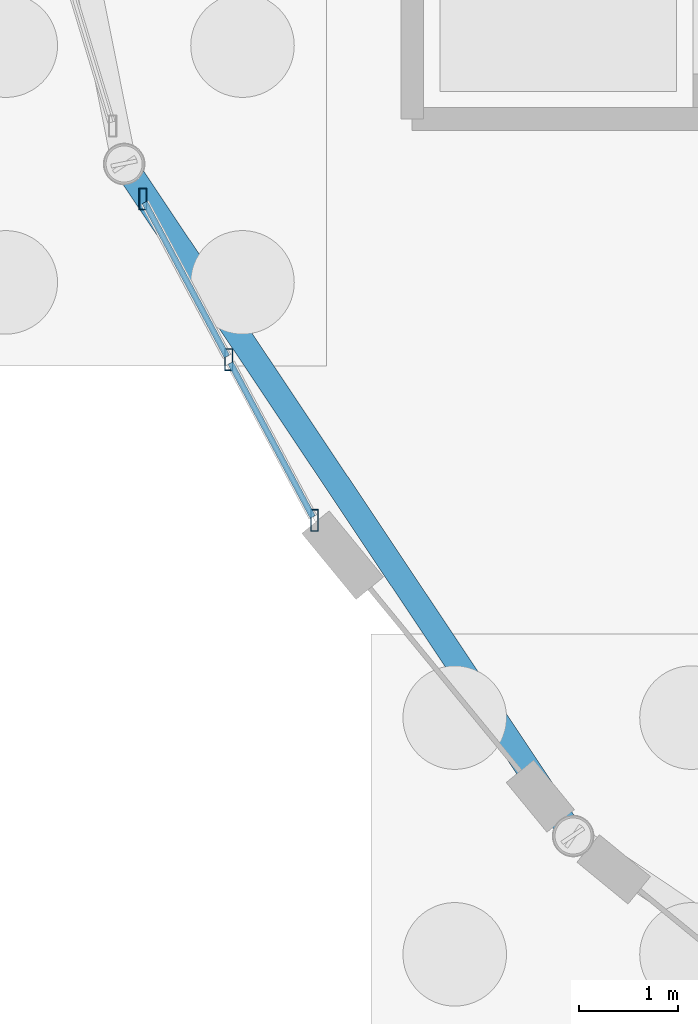
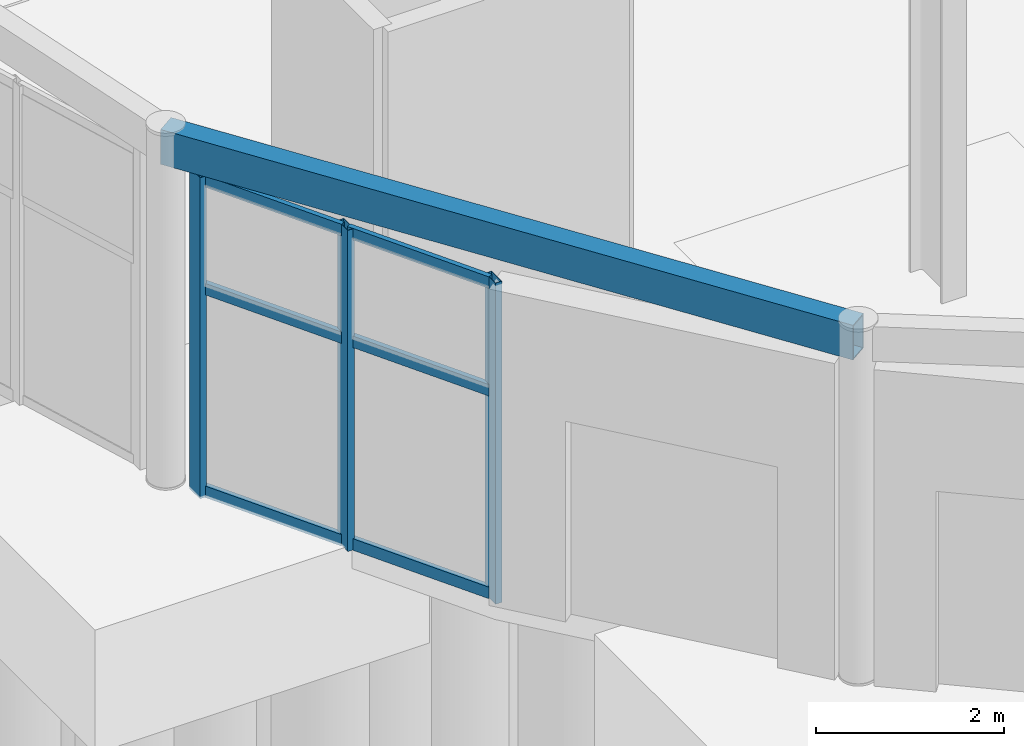
# One storey, part 63 of 160: 9 members, 1 beam, 1 element without a shape of its own.
"""IFC4 building model written with IfcOpenShell, lengths in metres."""

from ifc_helpers import new_model, si_unit, direction, frame, origin, origin_2d, place, context, subcontext, project, spatial, hollow_rectangle, extrude, material, layer, layer_set, material_profile, profile_set, type_object, element, aggregate, save


model = new_model("IFC4")

# Units and contexts
model_context = context("Model", 3, precision=1e-05, world=origin(), true_north=direction((0.0, 1.0)))
body_context = subcontext(model_context, "Body", "Model", "MODEL_VIEW")
ifc_project = project(units=[si_unit("LENGTHUNIT", "METRE"), si_unit("AREAUNIT", "SQUARE_METRE"), si_unit("VOLUMEUNIT", "CUBIC_METRE"), si_unit("PLANEANGLEUNIT", "RADIAN"), si_unit("MASSUNIT", "GRAM", prefix="KILO")], contexts=[model_context])

# Site, building, storey
site_placement = place(None, origin())
site = spatial("IfcSite", under=ifc_project, at=site_placement, CompositionType="ELEMENT")
building_placement = place(site_placement, origin())
building = spatial("IfcBuilding", under=site, at=building_placement, Name="Marlcrest Central Station", CompositionType="ELEMENT")
storey_placement = place(building_placement, origin())
storey = spatial("IfcBuildingStorey", under=building, at=storey_placement, Name="L00", CompositionType="ELEMENT", Elevation=0.0)

# Curtain wall, members
ifc_material_1 = material(Name="Anodised aluminium and hurricane laminated glass", Category="aluminium")
ifc_layer = layer(ifc_material_1, 0.219970703125, Name="CW-U1")
ifc_layer_set = layer_set([ifc_layer], Name="Anodised aluminium and hurricane laminated glass")
curtain_wall_type = type_object("IfcCurtainWallType", Name="CW-U1", PredefinedType="USERDEFINED", material=ifc_layer_set)
curtain_wall_placement = place(storey_placement, origin())
curtain_wall = element("IfcCurtainWall", 1, at=curtain_wall_placement, inside=storey, type_object=curtain_wall_type, Name="cw-L00-0003", ObjectType="UNITISED_CURTAIN_WALL", PredefinedType="USERDEFINED")
ifc_material_2 = material(Name="Anodised aluminium 6063-T6", Category="aluminium")
ifc_material_profile_1 = material_profile(ifc_material_2, hollow_rectangle(XDim=0.080078125, YDim=0.219970703125, WallThickness=0.006103515625, at=origin_2d()), Name="AA-RHS 220x80x6")
ifc_profile_set_1 = profile_set([ifc_material_profile_1], Name="Anodised aluminium 6063-T6")
member_type_1 = type_object("IfcMemberType", Name="ML-01", PredefinedType="MULLION", material=ifc_profile_set_1)
member_1_placement = place(storey_placement, frame((90.529296875, 10.851318359375, -0.030029296875), z_axis=(0.0, 0.0, 1.0), x_axis=(1.0, 0.0, 0.0)))
member_1 = element("IfcMember", 2, at=member_1_placement, type_object=member_type_1, Name="cw-L00-0003-ml-0", PredefinedType="MULLION", context=body_context, shape_type="SweptSolid", body=[
    extrude(hollow_rectangle(XDim=0.080078125, YDim=0.219970703125, WallThickness=0.006103515625, at=origin_2d()), origin(), (0.0, 0.0, 1.0), 4.159912109375),
])
member_2_placement = place(storey_placement, frame((89.659423828125, 12.4794921875, -0.030029296875), z_axis=(0.0, 0.0, 1.0), x_axis=(1.0, 0.0, 0.0)))
member_2 = element("IfcMember", 3, at=member_2_placement, type_object=member_type_1, Name="cw-L00-0003-ml-1", PredefinedType="MULLION", context=body_context, shape_type="SweptSolid", body=[
    extrude(hollow_rectangle(XDim=0.080078125, YDim=0.219970703125, WallThickness=0.006103515625, at=origin_2d()), origin(), (0.0, 0.0, 1.0), 4.159912109375),
])
member_3_placement = place(storey_placement, frame((88.789306640625, 14.107666015625, -0.030029296875), z_axis=(0.0, 0.0, 1.0), x_axis=(1.0, 0.0, 0.0)))
member_3 = element("IfcMember", 4, at=member_3_placement, type_object=member_type_1, Name="cw-L00-0003-ml-2", PredefinedType="MULLION", context=body_context, shape_type="SweptSolid", body=[
    extrude(hollow_rectangle(XDim=0.080078125, YDim=0.219970703125, WallThickness=0.006103515625, at=origin_2d()), origin(), (0.0, 0.0, 1.0), 4.159912109375),
])

# Beam
ifc_material_3 = material(Name="Steel S355", Category="steel")
ifc_material_profile_2 = material_profile(ifc_material_3, hollow_rectangle(XDim=0.25, YDim=0.449951171875, WallThickness=0.01611328125, at=origin_2d()), Name="RHS 450x250x16")
ifc_profile_set_2 = profile_set([ifc_material_profile_2], Name="Steel S355")
beam_type = type_object("IfcBeamType", Name="SP-02", PredefinedType="SPANDREL", material=ifc_profile_set_2)
beam_placement = place(storey_placement, frame((88.59912109375, 14.464111328125, 4.3798828125), z_axis=(0.55551129271, -0.831508991937, 0.0), x_axis=(0.831508991937, 0.55551129271, 0.0)))
element("IfcBeam", 5, at=beam_placement, inside=storey, type_object=beam_type, Name="bm-SP-02-L00-01324", PredefinedType="SPANDREL", context=body_context, shape_type="SweptSolid", body=[
    extrude(hollow_rectangle(XDim=0.25, YDim=0.449951171875, WallThickness=0.01611328125, at=origin_2d()), origin(), (0.0, 0.0, 1.0), 8.19384765625),
])

# Member
ifc_material_profile_3 = material_profile(ifc_material_2, hollow_rectangle(XDim=0.06005859375, YDim=0.14990234375, WallThickness=0.00390625, at=origin_2d()), Name="AA-RHS 150x60x4")
ifc_profile_set_3 = profile_set([ifc_material_profile_3], Name="Anodised aluminium 6063-T6")
member_type_2 = type_object("IfcMemberType", Name="TR-01", PredefinedType="USERDEFINED", material=ifc_profile_set_3)
member_4_placement = place(storey_placement, frame((90.511474609375, 10.884765625, 0.0400390625), z_axis=(-0.471325476804, 0.881959349922, 0.0), x_axis=(-0.881959349922, -0.471325476804, 0.0)))
member_4 = element("IfcMember", 6, at=member_4_placement, type_object=member_type_2, Name="cw-L00-0003-tr-0-sill", ObjectType="TRANSOM", PredefinedType="USERDEFINED", context=body_context, shape_type="SweptSolid", body=[
    extrude(hollow_rectangle(XDim=0.06005859375, YDim=0.14990234375, WallThickness=0.00390625, at=origin_2d()), origin(), (0.0, 0.0, 1.0), 1.77001953125),
])

member_5_placement = place(storey_placement, frame((90.511474609375, 10.884765625, 2.6650390625), z_axis=(-0.471325476804, 0.881959349922, 0.0), x_axis=(-0.881959349922, -0.471325476804, 0.0)))
member_5 = element("IfcMember", 7, at=member_5_placement, type_object=member_type_2, Name="cw-L00-0003-tr-0-mid", ObjectType="TRANSOM", PredefinedType="USERDEFINED", context=body_context, shape_type="SweptSolid", body=[
    extrude(hollow_rectangle(XDim=0.06005859375, YDim=0.14990234375, WallThickness=0.00390625, at=origin_2d()), origin(), (0.0, 0.0, 1.0), 1.77001953125),
])

member_6_placement = place(storey_placement, frame((90.511474609375, 10.884765625, 4.06005859375), z_axis=(-0.471325476804, 0.881959349922, 0.0), x_axis=(-0.881959349922, -0.471325476804, 0.0)))
member_6 = element("IfcMember", 8, at=member_6_placement, type_object=member_type_2, Name="cw-L00-0003-tr-0-head", ObjectType="TRANSOM", PredefinedType="USERDEFINED", context=body_context, shape_type="SweptSolid", body=[
    extrude(hollow_rectangle(XDim=0.06005859375, YDim=0.14990234375, WallThickness=0.00390625, at=origin_2d()), origin(), (0.0, 0.0, 1.0), 1.77001953125),
])

member_7_placement = place(storey_placement, frame((89.641357421875, 12.512939453125, 0.0400390625), z_axis=(-0.471160846124, 0.882047310001, 0.0), x_axis=(-0.882047310001, -0.471160846124, 0.0)))
member_7 = element("IfcMember", 9, at=member_7_placement, type_object=member_type_2, Name="cw-L00-0003-tr-1-sill", ObjectType="TRANSOM", PredefinedType="USERDEFINED", context=body_context, shape_type="SweptSolid", body=[
    extrude(hollow_rectangle(XDim=0.06005859375, YDim=0.14990234375, WallThickness=0.00390625, at=origin_2d()), origin(), (0.0, 0.0, 1.0), 1.77001953125),
])

member_8_placement = place(storey_placement, frame((89.641357421875, 12.512939453125, 2.6650390625), z_axis=(-0.471160846124, 0.882047310001, 0.0), x_axis=(-0.882047310001, -0.471160846124, 0.0)))
member_8 = element("IfcMember", 10, at=member_8_placement, type_object=member_type_2, Name="cw-L00-0003-tr-1-mid", ObjectType="TRANSOM", PredefinedType="USERDEFINED", context=body_context, shape_type="SweptSolid", body=[
    extrude(hollow_rectangle(XDim=0.06005859375, YDim=0.14990234375, WallThickness=0.00390625, at=origin_2d()), origin(), (0.0, 0.0, 1.0), 1.77001953125),
])

member_9_placement = place(storey_placement, frame((89.641357421875, 12.512939453125, 4.06005859375), z_axis=(-0.471160846124, 0.882047310001, 0.0), x_axis=(-0.882047310001, -0.471160846124, 0.0)))
member_9 = element("IfcMember", 11, at=member_9_placement, type_object=member_type_2, Name="cw-L00-0003-tr-1-head", ObjectType="TRANSOM", PredefinedType="USERDEFINED", context=body_context, shape_type="SweptSolid", body=[
    extrude(hollow_rectangle(XDim=0.06005859375, YDim=0.14990234375, WallThickness=0.00390625, at=origin_2d()), origin(), (0.0, 0.0, 1.0), 1.77001953125),
])

aggregate(curtain_wall, [member_1, member_2, member_3, member_4, member_5, member_6, member_7, member_8, member_9])

save(model, "model.ifc")
